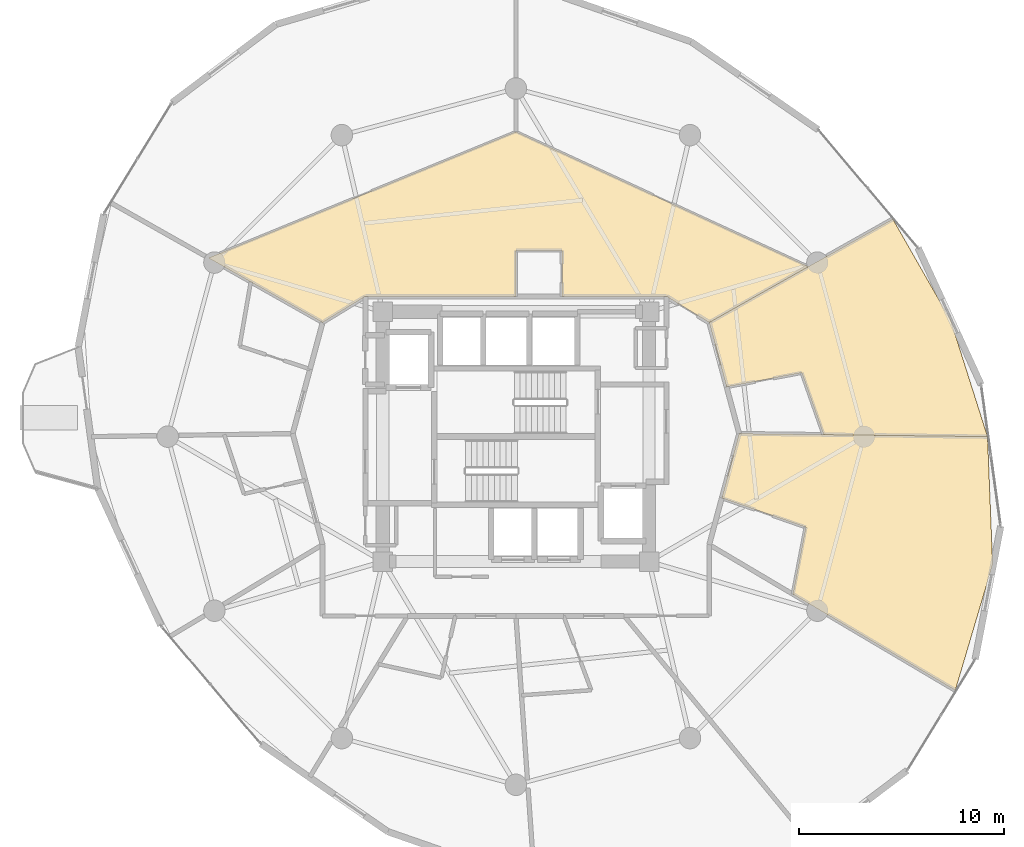
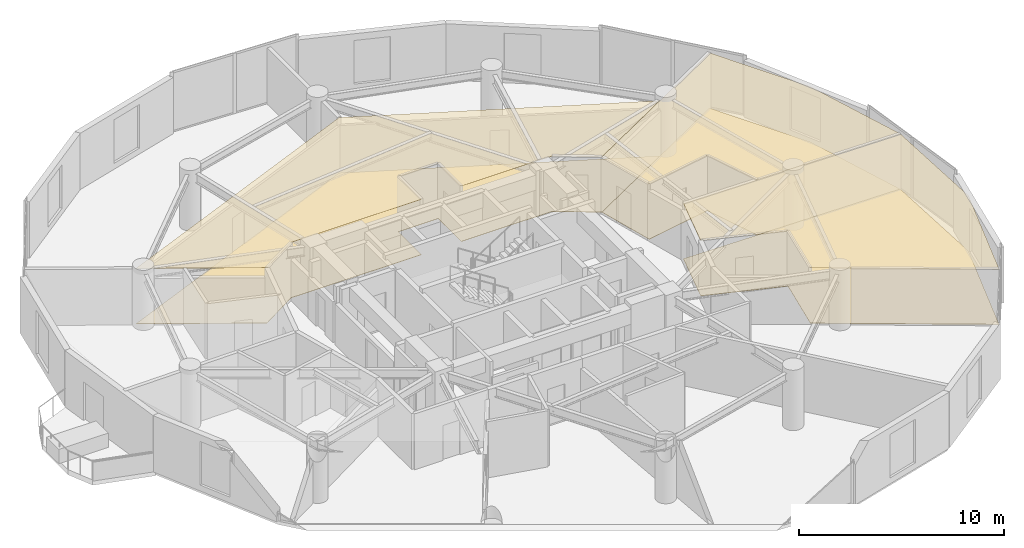
# One storey, part 23 of 23: 6 coverings.
"""IFC4 building model written with IfcOpenShell, lengths in metres."""

from ifc_helpers import new_model, si_unit, direction, frame, origin, place, context, subcontext, project, spatial, polyline, outline, extrude, material, layer, layer_set, type_object, element, save


model = new_model("IFC4")

# Units and contexts
model_context = context("Model", 3, precision=1e-05, world=origin(), true_north=direction((0.0, 1.0)))
body_context = subcontext(model_context, "Body", "Model", "MODEL_VIEW")
ifc_project = project(units=[si_unit("LENGTHUNIT", "METRE"), si_unit("AREAUNIT", "SQUARE_METRE"), si_unit("VOLUMEUNIT", "CUBIC_METRE"), si_unit("PLANEANGLEUNIT", "RADIAN"), si_unit("MASSUNIT", "GRAM", prefix="KILO")], contexts=[model_context])

# Site, building, storey
site_placement = place(None, origin())
site = spatial("IfcSite", under=ifc_project, at=site_placement, CompositionType="ELEMENT")
building_placement = place(site_placement, origin())
building = spatial("IfcBuilding", under=site, at=building_placement, Name="Solvirekh Grand Hotel", CompositionType="ELEMENT")
storey_placement = place(building_placement, frame((0.0, 0.0, 138.60009765625)))
storey = spatial("IfcBuildingStorey", under=building, at=storey_placement, Name="L35", CompositionType="ELEMENT", Elevation=138.60009765625)

# Coverings
ifc_material_1 = material(Name="Acoustic Mineral Ceiling Tile")
ifc_layer_1 = layer(ifc_material_1, 0.02490234375)
ifc_layer_set_1 = layer_set([ifc_layer_1], Name="Acoustic Mineral Ceiling Tile")
covering_type_1 = type_object("IfcCoveringType", Name="Cov_Ceiling_Acoustic", PredefinedType="CEILING", material=ifc_layer_set_1)
covering_1_placement = place(storey_placement, frame((0.0, 0.0, 3.2998046875)))
element("IfcCovering", 1, at=covering_1_placement, inside=storey, type_object=covering_type_1, Name="L35 Panorama Suite 3701 Inner Suite Lounge acoustic ceiling", PredefinedType="CEILING", context=body_context, shape_type="SweptSolid", body=[
    extrude(outline(polyline([(0.0, 6.85009765625), (0.0, 9.10009765625), (2.25, 9.10009765625), (2.25, 6.85009765625), (7.35009765625, 6.85009765625), (9.43994140625, 5.574951171875), (14.281005859375, 8.302978515625), (0.0, 14.889892578125), (-15.010986328125, 8.72412109375), (-9.43994140625, 5.574951171875), (-7.35009765625, 6.85009765625), (0.0, 6.85009765625)])), origin(), (0.0, 0.0, 1.0), 0.01806640625),
])
covering_2_placement = place(storey_placement, frame((0.0, 0.0, 3.2998046875)))
element("IfcCovering", 2, at=covering_2_placement, inside=storey, type_object=covering_type_1, Name="L35 Deluxe Guestroom 3704 acoustic ceiling", PredefinedType="CEILING", context=body_context, shape_type="SweptSolid", body=[
    extrude(outline(polyline([(14.154052734375, -4.4208984375), (13.52490234375, -7.693115234375), (21.455078125, -12.386962890625), (23.279052734375, -6.237060546875), (23.029052734375, 0.0), (10.89990234375, 0.14990234375), (10.052978515625, -2.9970703125), (14.154052734375, -4.4208984375)])), origin(), (0.0, 0.0, 1.0), 0.01806640625),
])
covering_3_placement = place(storey_placement, frame((0.0, 0.0, 3.2998046875)))
element("IfcCovering", 3, at=covering_3_placement, inside=storey, type_object=covering_type_1, Name="L35 Deluxe Guestroom 3705 acoustic ceiling", PredefinedType="CEILING", context=body_context, shape_type="SweptSolid", body=[
    extrude(outline(polyline([(13.958984375, 3.1201171875), (15.02392578125, 0.09912109375), (23.029052734375, 0.0), (21.22705078125, 5.68798828125), (18.404052734375, 10.6259765625), (9.43994140625, 5.574951171875), (10.287109375, 2.427978515625), (13.958984375, 3.1201171875)])), origin(), (0.0, 0.0, 1.0), 0.01806640625),
])
ifc_material_2 = material(Name="Porcelain Stoneware Flooring", Category="masonry")
ifc_layer_2 = layer(ifc_material_2, 0.030029296875)
ifc_layer_set_2 = layer_set([ifc_layer_2], Name="Porcelain Stoneware Flooring")
covering_type_2 = type_object("IfcCoveringType", Name="Cov_Floor_Stone", PredefinedType="FLOORING", material=ifc_layer_set_2)
covering_4_placement = place(storey_placement, origin())
element("IfcCovering", 4, at=covering_4_placement, inside=storey, type_object=covering_type_2, Name="L35 Panorama Suite 3701 Inner Suite Lounge polished granite flooring", PredefinedType="FLOORING", context=body_context, shape_type="SweptSolid", body=[
    extrude(outline(polyline([(0.0, 6.85009765625), (0.0, 9.10009765625), (2.25, 9.10009765625), (2.25, 6.85009765625), (7.35009765625, 6.85009765625), (9.43994140625, 5.574951171875), (14.281005859375, 8.302978515625), (0.0, 14.889892578125), (-15.010986328125, 8.72412109375), (-9.43994140625, 5.574951171875), (-7.35009765625, 6.85009765625), (0.0, 6.85009765625)])), origin(), (0.0, 0.0, 1.0), 0.02001953125),
])
covering_5_placement = place(storey_placement, origin())
element("IfcCovering", 5, at=covering_5_placement, inside=storey, type_object=covering_type_2, Name="L35 Deluxe Guestroom 3704 polished granite flooring", PredefinedType="FLOORING", context=body_context, shape_type="SweptSolid", body=[
    extrude(outline(polyline([(14.154052734375, -4.4208984375), (13.52490234375, -7.693115234375), (21.455078125, -12.386962890625), (23.279052734375, -6.237060546875), (23.029052734375, 0.0), (10.89990234375, 0.14990234375), (10.052978515625, -2.9970703125), (14.154052734375, -4.4208984375)])), origin(), (0.0, 0.0, 1.0), 0.02001953125),
])
covering_6_placement = place(storey_placement, origin())
element("IfcCovering", 6, at=covering_6_placement, inside=storey, type_object=covering_type_2, Name="L35 Deluxe Guestroom 3705 polished granite flooring", PredefinedType="FLOORING", context=body_context, shape_type="SweptSolid", body=[
    extrude(outline(polyline([(13.958984375, 3.1201171875), (15.02392578125, 0.09912109375), (23.029052734375, 0.0), (21.22705078125, 5.68798828125), (18.404052734375, 10.6259765625), (9.43994140625, 5.574951171875), (10.287109375, 2.427978515625), (13.958984375, 3.1201171875)])), origin(), (0.0, 0.0, 1.0), 0.02001953125),
])

save(model, "model.ifc")
